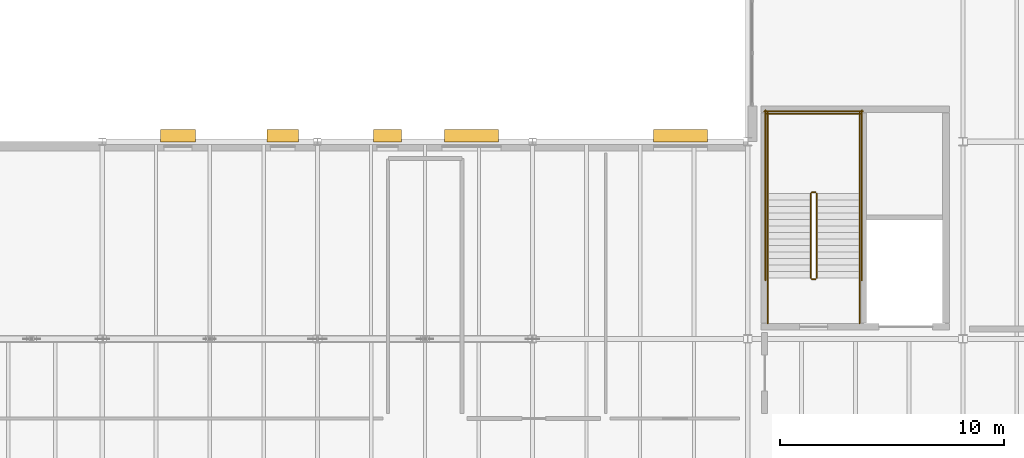
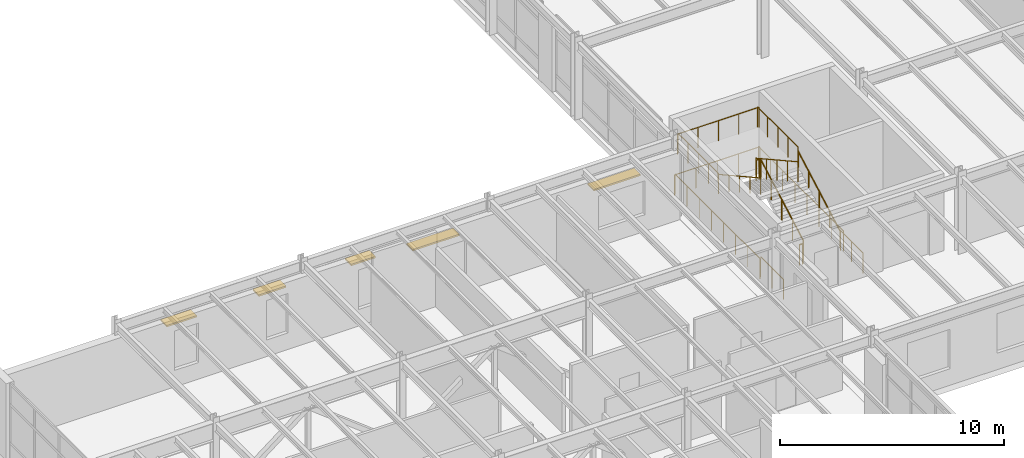
# One storey, part 82 of 88: 14 railings, 5 shading devices.
"""IFC4 building model written with IfcOpenShell, lengths in metres."""

from ifc_helpers import new_model, si_unit, direction, frame, origin, origin_2d, place, context, subcontext, project, spatial, rectangle, circle, extrude, material, layer, layer_set, type_object, element, save


model = new_model("IFC4")

# Units and contexts
model_context = context("Model", 3, precision=1e-05, world=origin(), true_north=direction((0.0, 1.0)))
body_context = subcontext(model_context, "Body", "Model", "MODEL_VIEW")
ifc_project = project(units=[si_unit("LENGTHUNIT", "METRE"), si_unit("AREAUNIT", "SQUARE_METRE"), si_unit("VOLUMEUNIT", "CUBIC_METRE"), si_unit("PLANEANGLEUNIT", "RADIAN"), si_unit("MASSUNIT", "GRAM", prefix="KILO")], contexts=[model_context])

# Site, building, storey
site_placement = place(None, origin())
site = spatial("IfcSite", under=ifc_project, at=site_placement, CompositionType="ELEMENT")
building_placement = place(site_placement, origin())
building = spatial("IfcBuilding", under=site, at=building_placement, Name="Sarnbrook Museum", CompositionType="ELEMENT")
storey_placement = place(building_placement, frame((0.0, 0.0, 10.10009765625)))
storey = spatial("IfcBuildingStorey", under=building, at=storey_placement, Name="L02", CompositionType="ELEMENT", Elevation=10.10009765625)

# Shading devices
ifc_material_1 = material(Name="Patinated Architectural Bronze")
shading_device_type = type_object("IfcShadingDeviceType", Name="BriseSoleil_Horizontal", PredefinedType="SHUTTER", material=ifc_material_1)
for number, where, z_axis, x_axis, name in (
    (1, (39.39990234375, 92.27001953125, 2.7646484375), (0.0, 0.0, 1.0), (1.0, 0.0, 0.0), "Horizontal Bronze Brise-Soleil BS-026"),
    (2, (30.074951171875, 92.27001953125, 2.7646484375), (0.0, 0.0, 1.0), (1.0, 0.0, 0.0), "Horizontal Bronze Brise-Soleil BS-027"),
):
    element("IfcShadingDevice", number, at=place(storey_placement, frame(where, z_axis=z_axis, x_axis=x_axis)), inside=storey, type_object=shading_device_type, Name=name, PredefinedType="SHUTTER", context=body_context, shape_type="SweptSolid", body=[
        extrude(rectangle(XDim=2.39990234375, YDim=0.550048828125, at=origin_2d()), origin(), (0.0, 0.0, 1.0), 0.090087890625),
    ])
shading_device_1_placement = place(storey_placement, frame((26.324951171875, 92.27001953125, 3.06494140625), z_axis=(0.0, 0.0, 1.0), x_axis=(1.0, 0.0, 0.0)))
element("IfcShadingDevice", 3, at=shading_device_1_placement, inside=storey, type_object=shading_device_type, Name="Horizontal Bronze Brise-Soleil BS-028", PredefinedType="SHUTTER", context=body_context, shape_type="SweptSolid", body=[
    extrude(rectangle(XDim=1.25, YDim=0.550048828125, at=origin_2d()), origin(), (0.0, 0.0, 1.0), 0.090087890625),
])
shading_device_2_placement = place(storey_placement, frame((21.64990234375, 92.27001953125, 3.06494140625), z_axis=(0.0, 0.0, 1.0), x_axis=(1.0, 0.0, 0.0)))
element("IfcShadingDevice", 4, at=shading_device_2_placement, inside=storey, type_object=shading_device_type, Name="Horizontal Bronze Brise-Soleil BS-029", PredefinedType="SHUTTER", context=body_context, shape_type="SweptSolid", body=[
    extrude(rectangle(XDim=1.39990234375, YDim=0.550048828125, at=origin_2d()), origin(), (0.0, 0.0, 1.0), 0.090087890625),
])
shading_device_3_placement = place(storey_placement, frame((16.97509765625, 92.27001953125, 3.06494140625), z_axis=(0.0, 0.0, 1.0), x_axis=(1.0, 0.0, 0.0)))
element("IfcShadingDevice", 5, at=shading_device_3_placement, inside=storey, type_object=shading_device_type, Name="Horizontal Bronze Brise-Soleil BS-030", PredefinedType="SHUTTER", context=body_context, shape_type="SweptSolid", body=[
    extrude(rectangle(XDim=1.550048828125, YDim=0.550048828125, at=origin_2d()), origin(), (0.0, 0.0, 1.0), 0.090087890625),
])

# Railings
ifc_material_2 = material(Name="Brushed Stainless Steel Grade 316", Category="steel")
ifc_layer_1 = layer(ifc_material_2, 0.050048828125)
ifc_layer_set_1 = layer_set([ifc_layer_1], Name="Brushed Stainless Steel Grade 316")
railing_type_1 = type_object("IfcRailingType", Name="Guard_Int1120", PredefinedType="BALUSTRADE", material=ifc_layer_set_1)
railing_1_placement = place(storey_placement, frame((45.469970703125, 85.919921875, 0.16064453125)))
element("IfcRailing", 6, at=railing_1_placement, inside=storey, type_object=railing_type_1, Name="L02 ST6 stair guard 1", PredefinedType="BALUSTRADE", context=body_context, shape_type="SweptSolid", body=[
    extrude(circle(Radius=0.02392578125, at=origin_2d()), frame((0.0, 0.0, 1.09619140625), z_axis=(0.0, 0.874659101714, 0.484738543742), x_axis=(-1.0, 0.0, 0.0)), (0.0, 0.0, 1.0), 4.310302734375),
    extrude(circle(Radius=0.02099609375, at=origin_2d()), origin(), (0.0, 0.0, 1.0), 1.072021484375),
    extrude(circle(Radius=0.02099609375, at=origin_2d()), frame((0.0, 0.9423828125, 0.5224609375)), (0.0, 0.0, 1.0), 1.072021484375),
    extrude(circle(Radius=0.02099609375, at=origin_2d()), frame((0.0, 1.885009765625, 1.044677734375)), (0.0, 0.0, 1.0), 1.072021484375),
    extrude(circle(Radius=0.02099609375, at=origin_2d()), frame((0.0, 2.82763671875, 1.56689453125)), (0.0, 0.0, 1.0), 1.072021484375),
    extrude(circle(Radius=0.02099609375, at=origin_2d()), frame((0.0, 3.77001953125, 2.08935546875)), (0.0, 0.0, 1.0), 1.072021484375),
])
railing_2_placement = place(storey_placement, frame((45.419921875, 89.739990234375, 2.25)))
element("IfcRailing", 7, at=railing_2_placement, inside=storey, type_object=railing_type_1, Name="L02 ST6 stair guard 2", PredefinedType="BALUSTRADE", context=body_context, shape_type="SweptSolid", body=[
    extrude(circle(Radius=0.02392578125, at=origin_2d()), frame((0.0, 0.0, 1.09619140625), z_axis=(-1.0, 0.0, 0.0), x_axis=(0.0, -1.0, 0.0)), (0.0, 0.0, 1.0), 0.159912109375),
    extrude(circle(Radius=0.02099609375, at=origin_2d()), origin(), (0.0, 0.0, 1.0), 1.072021484375),
    extrude(circle(Radius=0.02099609375, at=origin_2d()), frame((-0.159912109375, 0.0, 0.0)), (0.0, 0.0, 1.0), 1.072021484375),
])
for number, where, name in (
    (8, (47.389892578125, 89.68994140625, 2.25), "L02 ST6 stair guard 3"),
    (9, (43.2900390625, 89.68994140625, 2.25), "L02 ST6 stair guard 4"),
):
    element("IfcRailing", number, at=place(storey_placement, frame(where)), inside=storey, type_object=railing_type_1, Name=name, PredefinedType="BALUSTRADE", context=body_context, shape_type="SweptSolid", body=[
        extrude(circle(Radius=0.02392578125, at=origin_2d()), frame((0.0, 0.0, 1.09619140625), z_axis=(0.0, 1.0, 0.0), x_axis=(-1.0, 0.0, 0.0)), (0.0, 0.0, 1.0), 3.610107421875),
        extrude(circle(Radius=0.02099609375, at=origin_2d()), origin(), (0.0, 0.0, 1.0), 1.072021484375),
        extrude(circle(Radius=0.02099609375, at=origin_2d()), frame((0.0, 0.902587890625, 0.0)), (0.0, 0.0, 1.0), 1.072021484375),
        extrude(circle(Radius=0.02099609375, at=origin_2d()), frame((0.0, 1.80517578125, 0.0)), (0.0, 0.0, 1.0), 1.072021484375),
        extrude(circle(Radius=0.02099609375, at=origin_2d()), frame((0.0, 2.70751953125, 0.0)), (0.0, 0.0, 1.0), 1.072021484375),
        extrude(circle(Radius=0.02099609375, at=origin_2d()), frame((0.0, 3.610107421875, 0.0)), (0.0, 0.0, 1.0), 1.072021484375),
    ])
railing_3_placement = place(storey_placement, frame((47.43994140625, 93.25, 2.25)))
element("IfcRailing", 10, at=railing_3_placement, inside=storey, type_object=railing_type_1, Name="L02 ST6 stair guard 5", PredefinedType="BALUSTRADE", context=body_context, shape_type="SweptSolid", body=[
    extrude(circle(Radius=0.02392578125, at=origin_2d()), frame((0.0, 0.0, 1.09619140625), z_axis=(-1.0, 0.0, 0.0), x_axis=(0.0, -1.0, 0.0)), (0.0, 0.0, 1.0), 4.199951171875),
    extrude(circle(Radius=0.02099609375, at=origin_2d()), origin(), (0.0, 0.0, 1.0), 1.072021484375),
    extrude(circle(Radius=0.02099609375, at=origin_2d()), frame((-1.050048828125, 0.0, 0.0)), (0.0, 0.0, 1.0), 1.072021484375),
    extrude(circle(Radius=0.02099609375, at=origin_2d()), frame((-2.10009765625, 0.0, 0.0)), (0.0, 0.0, 1.0), 1.072021484375),
    extrude(circle(Radius=0.02099609375, at=origin_2d()), frame((-3.14990234375, 0.0, 0.0)), (0.0, 0.0, 1.0), 1.072021484375),
    extrude(circle(Radius=0.02099609375, at=origin_2d()), frame((-4.199951171875, 0.0, 0.0)), (0.0, 0.0, 1.0), 1.072021484375),
])
railing_4_placement = place(storey_placement, frame((45.2099609375, 89.68994140625, 2.41064453125)))
element("IfcRailing", 11, at=railing_4_placement, inside=storey, type_object=railing_type_1, Name="L02 ST6 stair guard 6", PredefinedType="BALUSTRADE", context=body_context, shape_type="SweptSolid", body=[
    extrude(circle(Radius=0.02392578125, at=origin_2d()), frame((0.0, 0.0, 1.09619140625), z_axis=(0.0, -0.874659101714, 0.484738543742), x_axis=(1.0, 0.0, 0.0)), (0.0, 0.0, 1.0), 4.310302734375),
    extrude(circle(Radius=0.02099609375, at=origin_2d()), origin(), (0.0, 0.0, 1.0), 1.072021484375),
    extrude(circle(Radius=0.02099609375, at=origin_2d()), frame((0.0, -0.9423828125, 0.5224609375)), (0.0, 0.0, 1.0), 1.072021484375),
    extrude(circle(Radius=0.02099609375, at=origin_2d()), frame((0.0, -1.885009765625, 1.044677734375)), (0.0, 0.0, 1.0), 1.072021484375),
    extrude(circle(Radius=0.02099609375, at=origin_2d()), frame((0.0, -2.82763671875, 1.56689453125)), (0.0, 0.0, 1.0), 1.072021484375),
    extrude(circle(Radius=0.02099609375, at=origin_2d()), frame((0.0, -3.77001953125, 2.08935546875)), (0.0, 0.0, 1.0), 1.072021484375),
])
railing_5_placement = place(storey_placement, frame((45.419921875, 85.8701171875, 0.0)))
element("IfcRailing", 12, at=railing_5_placement, inside=storey, type_object=railing_type_1, Name="L02 ST6 stair guard 7", PredefinedType="BALUSTRADE", context=body_context, shape_type="SweptSolid", body=[
    extrude(circle(Radius=0.02392578125, at=origin_2d()), frame((0.0, 0.0, 1.09619140625), z_axis=(-1.0, 0.0, 0.0), x_axis=(0.0, -1.0, 0.0)), (0.0, 0.0, 1.0), 0.159912109375),
    extrude(circle(Radius=0.02099609375, at=origin_2d()), origin(), (0.0, 0.0, 1.0), 1.072021484375),
    extrude(circle(Radius=0.02099609375, at=origin_2d()), frame((-0.159912109375, 0.0, 0.0)), (0.0, 0.0, 1.0), 1.072021484375),
])
for number, where, name in (
    (13, (47.389892578125, 83.89990234375, 0.0), "L02 ST6 stair guard 8"),
    (14, (43.2900390625, 83.89990234375, 0.0), "L02 ST6 stair guard 9"),
):
    element("IfcRailing", number, at=place(storey_placement, frame(where)), inside=storey, type_object=railing_type_1, Name=name, PredefinedType="BALUSTRADE", context=body_context, shape_type="SweptSolid", body=[
        extrude(circle(Radius=0.02392578125, at=origin_2d()), frame((0.0, 0.0, 1.09619140625), z_axis=(0.0, 1.0, 0.0), x_axis=(-1.0, 0.0, 0.0)), (0.0, 0.0, 1.0), 2.02001953125),
        extrude(circle(Radius=0.02099609375, at=origin_2d()), origin(), (0.0, 0.0, 1.0), 1.072021484375),
        extrude(circle(Radius=0.02099609375, at=origin_2d()), frame((0.0, 1.010009765625, 0.0)), (0.0, 0.0, 1.0), 1.072021484375),
        extrude(circle(Radius=0.02099609375, at=origin_2d()), frame((0.0, 2.02001953125, 0.0)), (0.0, 0.0, 1.0), 1.072021484375),
    ])
for number, where, name in (
    (15, (47.489990234375, 85.820068359375, 0.0), "L02 ST6 stair guard 10"),
    (16, (43.18994140625, 85.820068359375, 0.0), "L02 ST6 stair guard 11"),
):
    element("IfcRailing", number, at=place(storey_placement, frame(where)), inside=storey, type_object=railing_type_1, Name=name, PredefinedType="BALUSTRADE", context=body_context, shape_type="SweptSolid", body=[
        extrude(circle(Radius=0.02392578125, at=origin_2d()), frame((0.0, 0.0, 1.09619140625), z_axis=(0.0, 1.0, 0.0), x_axis=(-1.0, 0.0, 0.0)), (0.0, 0.0, 1.0), 7.579833984375),
        extrude(circle(Radius=0.02099609375, at=origin_2d()), origin(), (0.0, 0.0, 1.0), 1.072021484375),
        extrude(circle(Radius=0.02099609375, at=origin_2d()), frame((0.0, 1.082763671875, 0.0)), (0.0, 0.0, 1.0), 1.072021484375),
        extrude(circle(Radius=0.02099609375, at=origin_2d()), frame((0.0, 2.165771484375, 0.0)), (0.0, 0.0, 1.0), 1.072021484375),
        extrude(circle(Radius=0.02099609375, at=origin_2d()), frame((0.0, 3.24853515625, 0.0)), (0.0, 0.0, 1.0), 1.072021484375),
        extrude(circle(Radius=0.02099609375, at=origin_2d()), frame((0.0, 4.331298828125, 0.0)), (0.0, 0.0, 1.0), 1.072021484375),
        extrude(circle(Radius=0.02099609375, at=origin_2d()), frame((0.0, 5.4140625, 0.0)), (0.0, 0.0, 1.0), 1.072021484375),
        extrude(circle(Radius=0.02099609375, at=origin_2d()), frame((0.0, 6.4970703125, 0.0)), (0.0, 0.0, 1.0), 1.072021484375),
        extrude(circle(Radius=0.02099609375, at=origin_2d()), frame((0.0, 7.579833984375, 0.0)), (0.0, 0.0, 1.0), 1.072021484375),
    ])
railing_6_placement = place(storey_placement, frame((47.5400390625, 93.35009765625, 0.0)))
element("IfcRailing", 17, at=railing_6_placement, inside=storey, type_object=railing_type_1, Name="L02 ST6 stair guard 12", PredefinedType="BALUSTRADE", context=body_context, shape_type="SweptSolid", body=[
    extrude(circle(Radius=0.02392578125, at=origin_2d()), frame((0.0, 0.0, 1.09619140625), z_axis=(-1.0, 0.0, 0.0), x_axis=(0.0, -1.0, 0.0)), (0.0, 0.0, 1.0), 4.400146484375),
    extrude(circle(Radius=0.02099609375, at=origin_2d()), origin(), (0.0, 0.0, 1.0), 1.072021484375),
    extrude(circle(Radius=0.02099609375, at=origin_2d()), frame((-1.10009765625, 0.0, 0.0)), (0.0, 0.0, 1.0), 1.072021484375),
    extrude(circle(Radius=0.02099609375, at=origin_2d()), frame((-2.2001953125, 0.0, 0.0)), (0.0, 0.0, 1.0), 1.072021484375),
    extrude(circle(Radius=0.02099609375, at=origin_2d()), frame((-3.300048828125, 0.0, 0.0)), (0.0, 0.0, 1.0), 1.072021484375),
    extrude(circle(Radius=0.02099609375, at=origin_2d()), frame((-4.400146484375, 0.0, 0.0)), (0.0, 0.0, 1.0), 1.072021484375),
])
ifc_layer_2 = layer(ifc_material_2, 0.048095703125)
ifc_layer_set_2 = layer_set([ifc_layer_2], Name="Brushed Stainless Steel Grade 316")
railing_type_2 = type_object("IfcRailingType", Name="Handrail_920", PredefinedType="HANDRAIL", material=ifc_layer_set_2)
railing_7_placement = place(storey_placement, frame((47.389892578125, 85.919921875, 0.16064453125)))
element("IfcRailing", 18, at=railing_7_placement, inside=storey, type_object=railing_type_2, Name="L02 ST6 stair handrail 1", PredefinedType="HANDRAIL", context=body_context, shape_type="SweptSolid", body=[
    extrude(circle(Radius=0.02392578125, at=origin_2d()), frame((0.0, 0.0, 0.8857421875), z_axis=(0.0, 0.874659101714, 0.484738543742), x_axis=(-1.0, 0.0, 0.0)), (0.0, 0.0, 1.0), 4.310302734375),
    extrude(circle(Radius=0.02099609375, at=origin_2d()), origin(), (0.0, 0.0, 1.0), 0.86181640625),
    extrude(circle(Radius=0.02099609375, at=origin_2d()), frame((0.0, 0.9423828125, 0.5224609375)), (0.0, 0.0, 1.0), 0.86181640625),
    extrude(circle(Radius=0.02099609375, at=origin_2d()), frame((0.0, 1.885009765625, 1.044677734375)), (0.0, 0.0, 1.0), 0.86181640625),
    extrude(circle(Radius=0.02099609375, at=origin_2d()), frame((0.0, 2.82763671875, 1.56689453125)), (0.0, 0.0, 1.0), 0.86181640625),
    extrude(circle(Radius=0.02099609375, at=origin_2d()), frame((0.0, 3.77001953125, 2.08935546875)), (0.0, 0.0, 1.0), 0.86181640625),
])
railing_8_placement = place(storey_placement, frame((43.2900390625, 89.68994140625, 2.41064453125)))
element("IfcRailing", 19, at=railing_8_placement, inside=storey, type_object=railing_type_2, Name="L02 ST6 stair handrail 2", PredefinedType="HANDRAIL", context=body_context, shape_type="SweptSolid", body=[
    extrude(circle(Radius=0.02392578125, at=origin_2d()), frame((0.0, 0.0, 0.8857421875), z_axis=(0.0, -0.874659101714, 0.484738543742), x_axis=(1.0, 0.0, 0.0)), (0.0, 0.0, 1.0), 4.310302734375),
    extrude(circle(Radius=0.02099609375, at=origin_2d()), origin(), (0.0, 0.0, 1.0), 0.86181640625),
    extrude(circle(Radius=0.02099609375, at=origin_2d()), frame((0.0, -0.9423828125, 0.5224609375)), (0.0, 0.0, 1.0), 0.86181640625),
    extrude(circle(Radius=0.02099609375, at=origin_2d()), frame((0.0, -1.885009765625, 1.044677734375)), (0.0, 0.0, 1.0), 0.86181640625),
    extrude(circle(Radius=0.02099609375, at=origin_2d()), frame((0.0, -2.82763671875, 1.56689453125)), (0.0, 0.0, 1.0), 0.86181640625),
    extrude(circle(Radius=0.02099609375, at=origin_2d()), frame((0.0, -3.77001953125, 2.08935546875)), (0.0, 0.0, 1.0), 0.86181640625),
])

save(model, "model.ifc")
